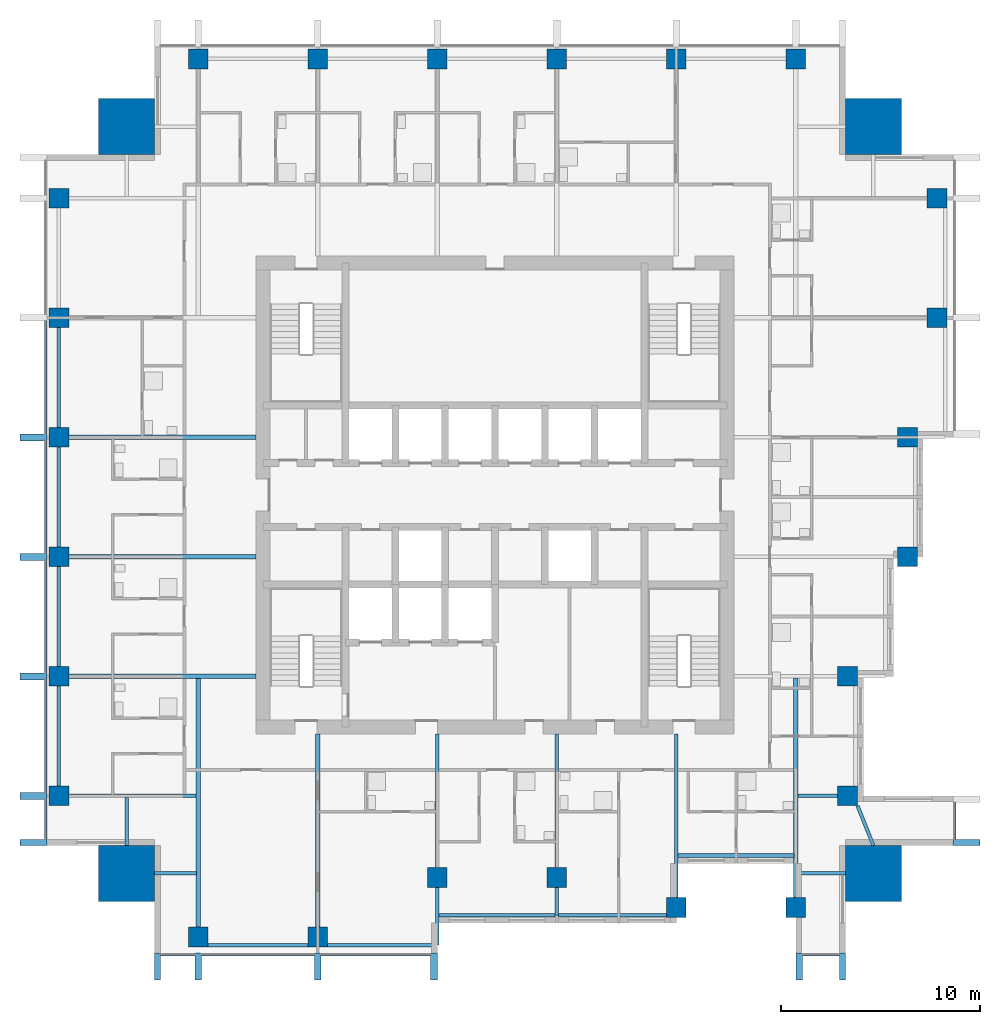
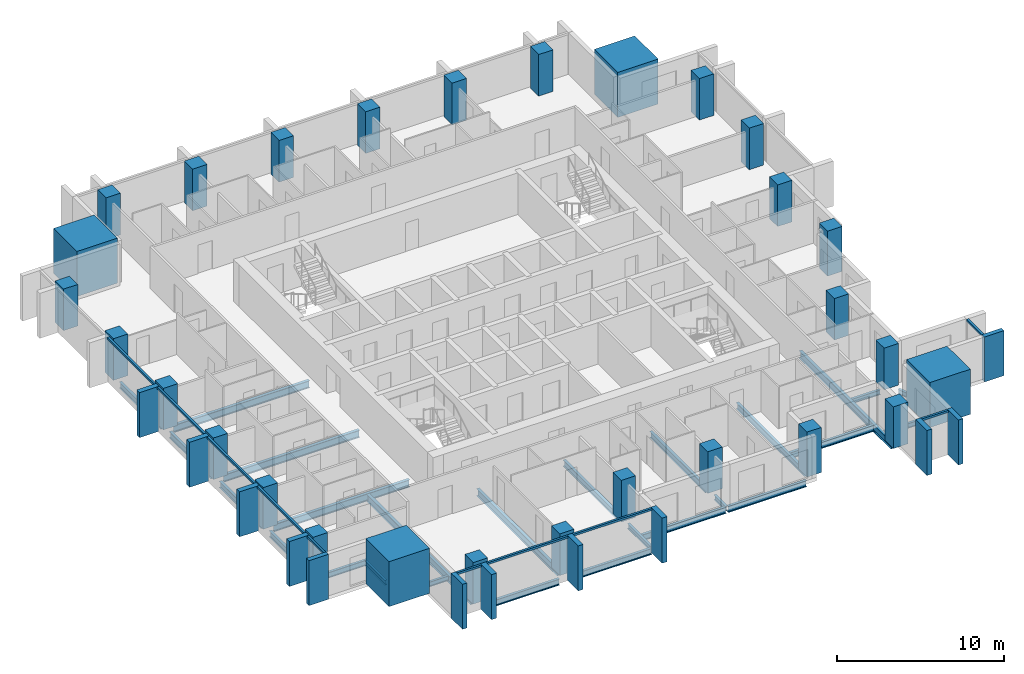
# One storey, part 1 of 11: 28 columns, 26 beams, 22 members, 4 elements without a shape of their own.
"""IFC4 building model written with IfcOpenShell, lengths in metres."""

import ifcopenshell
import ifcopenshell.guid

model = None  # the IFC model being written
_history = None  # IfcOwnerHistory: only IFC2X3 demands one
_inside = {}  # id of a spatial element -> (the spatial element, [elements in it])
_under = {}  # id of a project, library or spatial element -> (it, [spatial elements below it])
_declared = {}  # id of a project -> (the project, [libraries it declares])
_typed = {}  # id of a type object -> (the type object, [elements of that type])
_made_of = {}  # id of a material, layer set ... -> (it, [elements and type objects made of it])


def new_model(schema):
    """Start an empty IFC model of exactly this schema.

    Asked for "IFC4X3", IfcOpenShell would pick the latest addendum, in which some entities
    have other attributes; the version numbers below select the first issue.
    IFC2X3 requires an IfcOwnerHistory on every rooted entity: one is made here for all.
    """
    global model, _history
    if schema == "IFC4X3":
        model = ifcopenshell.file(schema_version=(4, 3, 0, 0))
    else:
        model = ifcopenshell.file(schema=schema)
    _inside.clear()
    _under.clear()
    _declared.clear()
    _typed.clear()
    _made_of.clear()
    _history = None
    if model.schema == "IFC2X3":
        org = make("IfcOrganization", Name="unknown")
        user = make(
            "IfcPersonAndOrganization",
            ThePerson=make("IfcPerson", FamilyName="unknown"),
            TheOrganization=org,
        )
        app = make(
            "IfcApplication",
            ApplicationDeveloper=org,
            Version="unknown",
            ApplicationFullName="unknown",
            ApplicationIdentifier="unknown",
        )
        _history = make(
            "IfcOwnerHistory",
            OwningUser=user,
            OwningApplication=app,
            ChangeAction="ADDED",
            CreationDate=0,
        )
    return model


def make(cls, **values):
    """One entity of the class cls with the attributes given. An attribute that is None is left unset."""
    return model.create_entity(
        cls, **{name: value for name, value in values.items() if value is not None}
    )


def rooted(cls, **values):
    """An entity with a GlobalId (a new one), such as an element, a storey or a relation."""
    return make(cls, GlobalId=ifcopenshell.guid.new(), OwnerHistory=_history, **values)


def si_unit(unit_type, name, prefix=None):
    """IfcSIUnit, for example si_unit("LENGTHUNIT", "METRE", prefix="MILLI")."""
    return make("IfcSIUnit", UnitType=unit_type, Prefix=prefix, Name=name)


def assignment(units):
    """IfcUnitAssignment: the units of a project."""
    return None if units is None else make("IfcUnitAssignment", Units=units)


def point(xyz):
    """IfcCartesianPoint."""
    return None if xyz is None else make("IfcCartesianPoint", Coordinates=xyz)


def direction(xyz):
    """IfcDirection."""
    return None if xyz is None else make("IfcDirection", DirectionRatios=xyz)


def frame(location, z_axis=None, x_axis=None):
    """IfcAxis2Placement3D, a coordinate frame: its origin and axes. An axis left out is left unset."""
    return make(
        "IfcAxis2Placement3D",
        Location=point(location),
        Axis=direction(z_axis),
        RefDirection=direction(x_axis),
    )


def frame_2d(location, x_axis=None):
    """IfcAxis2Placement2D, a coordinate frame in the plane: its origin and x axis."""
    return make(
        "IfcAxis2Placement2D", Location=point(location), RefDirection=direction(x_axis)
    )


def origin():
    """The frame at (0, 0, 0) with its axes left unset."""
    return frame((0.0, 0.0, 0.0))


def origin_2d():
    """The frame at (0, 0) in the plane with its x axis left unset."""
    return frame_2d((0.0, 0.0))


def place(relative_to, where):
    """IfcLocalPlacement: puts the frame where relative to a parent placement (None: the world)."""
    return make(
        "IfcLocalPlacement", PlacementRelTo=relative_to, RelativePlacement=where
    )


def context(
    kind, dimensions, precision=None, world=None, true_north=None, identifier=None
):
    """IfcGeometricRepresentationContext, for example the 3D "Model" context."""
    return make(
        "IfcGeometricRepresentationContext",
        ContextIdentifier=identifier,
        ContextType=kind,
        CoordinateSpaceDimension=dimensions,
        Precision=precision,
        WorldCoordinateSystem=world,
        TrueNorth=true_north,
    )


def subcontext(parent, identifier, kind, view, scale=None):
    """IfcGeometricRepresentationSubContext, for example "Body" below "Model"."""
    return make(
        "IfcGeometricRepresentationSubContext",
        ContextIdentifier=identifier,
        ContextType=kind,
        ParentContext=parent,
        TargetScale=scale,
        TargetView=view,
    )


def project(units=None, contexts=None):
    """IfcProject with its units and contexts."""
    return rooted(
        "IfcProject",
        Name="project",
        RepresentationContexts=contexts,
        UnitsInContext=assignment(units),
    )


def spatial(cls, under=None, at=None, **own):
    """A site, building, storey or space (cls), placed at a placement, below another one or the project."""
    s = rooted(cls, ObjectPlacement=at, **own)
    if under is not None:
        _under.setdefault(under.id(), (under, []))[1].append(s)
    return s


def profile(cls, at=None, kind="AREA", **sizes):
    """A parametric profile (cls). Its sizes go by their IFC names, for example OverallWidth=200.0."""
    return make(cls, ProfileType=kind, Position=at, **sizes)


def rectangle(**sizes):
    """IfcRectangleProfileDef."""
    return profile("IfcRectangleProfileDef", **sizes)


def i_section(**sizes):
    """IfcIShapeProfileDef."""
    return profile("IfcIShapeProfileDef", **sizes)


def extrude(swept, where, along, depth):
    """IfcExtrudedAreaSolid: the profile swept, set in the frame where, extruded along a direction by depth."""
    return make(
        "IfcExtrudedAreaSolid",
        SweptArea=swept,
        Position=where,
        ExtrudedDirection=direction(along),
        Depth=depth,
    )


def shape(context_of_items, identifier, shape_type, items):
    """IfcShapeRepresentation: the items that make up one representation, for example the "Body"."""
    return make(
        "IfcShapeRepresentation",
        ContextOfItems=context_of_items,
        RepresentationIdentifier=identifier,
        RepresentationType=shape_type,
        Items=items,
    )


def material(Name=None, Category=None):
    """IfcMaterial."""
    return make("IfcMaterial", Name=Name, Category=Category)


def material_profile(
    of_material, cross_section, Name=None, Category=None, Priority=None
):
    """IfcMaterialProfile: a cross section and its material."""
    return make(
        "IfcMaterialProfile",
        Name=Name,
        Material=of_material,
        Profile=cross_section,
        Priority=Priority,
        Category=Category,
    )


def profile_set(profiles, Name=None, composite=None):
    """IfcMaterialProfileSet."""
    return make(
        "IfcMaterialProfileSet",
        Name=Name,
        MaterialProfiles=profiles,
        CompositeProfile=composite,
    )


def made_of(thing, what):
    """Note that an element or type object is made of a material, layer set ...; save() writes the relation."""
    if what is not None:
        _made_of.setdefault(what.id(), (what, []))[1].append(thing)
    return thing


def type_object(cls, material=None, **own):
    """A type object (cls), such as IfcWallType, which elements share."""
    return made_of(rooted(cls, **own), material)


def element(
    cls,
    number,
    at=None,
    inside=None,
    cuts=None,
    type_object=None,
    material=None,
    context=None,
    identifier="Body",
    shape_type=None,
    held_by="IfcProductDefinitionShape",
    body=None,
    shapes=None,
    **own,
):
    """One element of the class cls, such as IfcWall. Its Tag is "e" and its number.

    at: its placement. inside: the storey or other place that contains it. cuts: it is an
    opening in that element (IfcRelVoidsElement). A single representation is given by context,
    identifier, shape_type and body (its items); several are given by shapes. held_by: the class
    of the entity that holds the representations. save() writes the other relations.
    """
    e = rooted(cls, Tag="e%d" % number, ObjectPlacement=at, **own)
    if body is not None:
        shapes = [shape(context, identifier, shape_type, body)]
    if shapes is not None:
        e.Representation = make(held_by, Representations=shapes)
    if inside is not None:
        _inside.setdefault(inside.id(), (inside, []))[1].append(e)
    if cuts is not None:
        rooted(
            "IfcRelVoidsElement", RelatingBuildingElement=cuts, RelatedOpeningElement=e
        )
    if type_object is not None:
        _typed.setdefault(type_object.id(), (type_object, []))[1].append(e)
    return made_of(e, material)


def aggregate(whole, parts):
    """IfcRelAggregates: a whole, such as a stair, and the parts it consists of."""
    return rooted("IfcRelAggregates", RelatingObject=whole, RelatedObjects=parts)


def save(model, path):
    """Write the relations noted so far, then the file.

    IfcRelAggregates (storeys below a building ...), IfcRelContainedInSpatialStructure (elements
    in a storey), IfcRelDefinesByType, IfcRelAssociatesMaterial and IfcRelDeclares: one each for
    every whole, place, type object, material and project.
    """
    for whole, parts in _under.values():
        aggregate(whole, parts)
    for where, things in _inside.values():
        rooted(
            "IfcRelContainedInSpatialStructure",
            RelatedElements=things,
            RelatingStructure=where,
        )
    for kind, things in _typed.values():
        rooted("IfcRelDefinesByType", RelatedObjects=things, RelatingType=kind)
    for what, things in _made_of.values():
        rooted("IfcRelAssociatesMaterial", RelatedObjects=things, RelatingMaterial=what)
    for by, libraries in _declared.values():
        rooted("IfcRelDeclares", RelatingContext=by, RelatedDefinitions=libraries)
    model.write(path)


model = new_model("IFC4")

# Units and contexts
model_context = context("Model", 3, precision=1e-05, world=origin(), true_north=direction((0.0, 1.0)))
body_context = subcontext(model_context, "Body", "Model", "MODEL_VIEW")
ifc_project = project(units=[si_unit("LENGTHUNIT", "METRE"), si_unit("AREAUNIT", "SQUARE_METRE"), si_unit("VOLUMEUNIT", "CUBIC_METRE"), si_unit("PLANEANGLEUNIT", "RADIAN"), si_unit("MASSUNIT", "GRAM", prefix="KILO")], contexts=[model_context])

# Site, building, storey
site_placement = place(None, origin())
site = spatial("IfcSite", under=ifc_project, at=site_placement, CompositionType="ELEMENT")
building_placement = place(site_placement, origin())
building = spatial("IfcBuilding", under=site, at=building_placement, Name="Amberfall Residences", CompositionType="ELEMENT")
storey_placement = place(building_placement, frame((0.0, 0.0, 161.5)))
storey = spatial("IfcBuildingStorey", under=building, at=storey_placement, Name="L43", CompositionType="ELEMENT", Elevation=161.5)

# Columns
ifc_material_1 = material(Name="Concrete C60", Category="concrete")
ifc_material_profile_1 = material_profile(ifc_material_1, rectangle(XDim=1.0, YDim=1.0, at=origin_2d()), Name="Column 1000 x 1000 C60")
ifc_profile_set_1 = profile_set([ifc_material_profile_1], Name="Concrete C60")
column_type_1 = type_object("IfcColumnType", Name="Column 1000 x 1000 C60", PredefinedType="COLUMN", material=ifc_profile_set_1)
for number, where, z_axis, x_axis, name in (
    (1, (59.60009765625, 23.300048828125, 0.0), (0.0, 0.0, 1.0), (1.0, 0.0, 0.0), "Column C3 L43 S1"),
    (2, (65.60009765625, 23.300048828125, 0.0), (0.0, 0.0, 1.0), (1.0, 0.0, 0.0), "Column C3 L43 S2"),
    (3, (71.60009765625, 26.300048828125, 0.0), (0.0, 0.0, 1.0), (1.0, 0.0, 0.0), "Column C3 L43 S3"),
    (4, (77.60009765625, 26.300048828125, 0.0), (0.0, 0.0, 1.0), (1.0, 0.0, 0.0), "Column C3 L43 S4"),
):
    element("IfcColumn", number, at=place(storey_placement, frame(where, z_axis=z_axis, x_axis=x_axis)), inside=storey, type_object=column_type_1, Name=name, PredefinedType="COLUMN", context=body_context, shape_type="SweptSolid", body=[
        extrude(rectangle(XDim=1.0, YDim=1.0, at=origin_2d()), origin(), (0.0, 0.0, 1.0), 3.050048828125),
    ])
column_1_placement = place(storey_placement, frame((83.60009765625, 24.800048828125, 0.0), z_axis=(0.0, 0.0, 1.0), x_axis=(1.0, 0.0, 0.0)))
element("IfcColumn", 5, at=column_1_placement, inside=storey, type_object=column_type_1, Name="Column C3 L43 S5", PredefinedType="COLUMN", context=body_context, shape_type="SweptSolid", body=[
    extrude(rectangle(XDim=1.0, YDim=1.0, at=origin_2d()), origin(), (0.0, 0.0, 1.0), 3.300048828125),
])
for number, where, z_axis, x_axis, name in (
    (6, (89.60009765625, 24.800048828125, 0.0), (0.0, 0.0, 1.0), (1.0, 0.0, 0.0), "Column C3 L43 S6"),
    (7, (92.199951171875, 30.39990234375, 0.0), (0.0, 0.0, 1.0), (1.0, 0.0, 0.0), "Column C3 L43 E1"),
    (8, (92.199951171875, 36.39990234375, 0.0), (0.0, 0.0, 1.0), (1.0, 0.0, 0.0), "Column C3 L43 E2"),
):
    element("IfcColumn", number, at=place(storey_placement, frame(where, z_axis=z_axis, x_axis=x_axis)), inside=storey, type_object=column_type_1, Name=name, PredefinedType="COLUMN", context=body_context, shape_type="SweptSolid", body=[
        extrude(rectangle(XDim=1.0, YDim=1.0, at=origin_2d()), origin(), (0.0, 0.0, 1.0), 3.050048828125),
    ])
column_2_placement = place(storey_placement, frame((95.199951171875, 42.39990234375, 0.0), z_axis=(0.0, 0.0, 1.0), x_axis=(1.0, 0.0, 0.0)))
element("IfcColumn", 9, at=column_2_placement, inside=storey, type_object=column_type_1, Name="Column C3 L43 E3", PredefinedType="COLUMN", context=body_context, shape_type="SweptSolid", body=[
    extrude(rectangle(XDim=1.0, YDim=1.0, at=origin_2d()), origin(), (0.0, 0.0, 1.0), 3.300048828125),
])
for number, where, z_axis, x_axis, name in (
    (10, (95.199951171875, 48.39990234375, 0.0), (0.0, 0.0, 1.0), (1.0, 0.0, 0.0), "Column C3 L43 E4"),
    (11, (96.699951171875, 54.39990234375, 0.0), (0.0, 0.0, 1.0), (1.0, 0.0, 0.0), "Column C3 L43 E5"),
    (12, (96.699951171875, 60.39990234375, 0.0), (0.0, 0.0, 1.0), (1.0, 0.0, 0.0), "Column C3 L43 E6"),
    (13, (59.60009765625, 67.39990234375, 0.0), (0.0, 0.0, 1.0), (1.0, 0.0, 0.0), "Column C3 L43 N1"),
    (14, (65.60009765625, 67.39990234375, 0.0), (0.0, 0.0, 1.0), (1.0, 0.0, 0.0), "Column C3 L43 N2"),
    (15, (71.60009765625, 67.39990234375, 0.0), (0.0, 0.0, 1.0), (1.0, 0.0, 0.0), "Column C3 L43 N3"),
    (16, (77.60009765625, 67.39990234375, 0.0), (0.0, 0.0, 1.0), (1.0, 0.0, 0.0), "Column C3 L43 N4"),
    (17, (83.60009765625, 67.39990234375, 0.0), (0.0, 0.0, 1.0), (1.0, 0.0, 0.0), "Column C3 L43 N5"),
    (18, (89.60009765625, 67.39990234375, 0.0), (0.0, 0.0, 1.0), (1.0, 0.0, 0.0), "Column C3 L43 N6"),
    (19, (52.60009765625, 30.39990234375, 0.0), (0.0, 0.0, 1.0), (1.0, 0.0, 0.0), "Column C3 L43 W1"),
    (20, (52.60009765625, 36.39990234375, 0.0), (0.0, 0.0, 1.0), (1.0, 0.0, 0.0), "Column C3 L43 W2"),
    (21, (52.60009765625, 42.39990234375, 0.0), (0.0, 0.0, 1.0), (1.0, 0.0, 0.0), "Column C3 L43 W3"),
    (22, (52.60009765625, 48.39990234375, 0.0), (0.0, 0.0, 1.0), (1.0, 0.0, 0.0), "Column C3 L43 W4"),
    (23, (52.60009765625, 54.39990234375, 0.0), (0.0, 0.0, 1.0), (1.0, 0.0, 0.0), "Column C3 L43 W5"),
    (24, (52.60009765625, 60.39990234375, 0.0), (0.0, 0.0, 1.0), (1.0, 0.0, 0.0), "Column C3 L43 W6"),
):
    element("IfcColumn", number, at=place(storey_placement, frame(where, z_axis=z_axis, x_axis=x_axis)), inside=storey, type_object=column_type_1, Name=name, PredefinedType="COLUMN", context=body_context, shape_type="SweptSolid", body=[
        extrude(rectangle(XDim=1.0, YDim=1.0, at=origin_2d()), origin(), (0.0, 0.0, 1.0), 3.050048828125),
    ])
ifc_material_profile_2 = material_profile(ifc_material_1, rectangle(XDim=2.800048828125, YDim=2.800048828125, at=origin_2d()), Name="Mega column 2800 x 2800 C60")
ifc_profile_set_2 = profile_set([ifc_material_profile_2], Name="Concrete C60")
column_type_2 = type_object("IfcColumnType", Name="Mega column 2800 x 2800 C60", PredefinedType="COLUMN", material=ifc_profile_set_2)
for number, where, z_axis, x_axis, name in (
    (25, (56.0, 26.5, 0.0), (0.0, 0.0, 1.0), (1.0, 0.0, 0.0), "Mega column MC5 L43 SW"),
    (26, (93.5, 26.5, 0.0), (0.0, 0.0, 1.0), (1.0, 0.0, 0.0), "Mega column MC5 L43 SE"),
    (27, (93.5, 64.0, 0.0), (0.0, 0.0, 1.0), (1.0, 0.0, 0.0), "Mega column MC5 L43 NE"),
    (28, (56.0, 64.0, 0.0), (0.0, 0.0, 1.0), (1.0, 0.0, 0.0), "Mega column MC5 L43 NW"),
):
    element("IfcColumn", number, at=place(storey_placement, frame(where, z_axis=z_axis, x_axis=x_axis)), inside=storey, type_object=column_type_2, Name=name, PredefinedType="COLUMN", context=body_context, shape_type="SweptSolid", body=[
        extrude(rectangle(XDim=2.800048828125, YDim=2.800048828125, at=origin_2d()), origin(), (0.0, 0.0, 1.0), 3.300048828125),
    ])

# Curtain wall, members
ifc_material_2 = material(Name="Bronze anodised aluminium and glass", Category="aluminium")
curtain_wall_type = type_object("IfcCurtainWallType", Name="Curtain wall CW1 tower unit", PredefinedType="USERDEFINED", material=ifc_material_2)
curtain_wall_1_placement = place(storey_placement, origin())
curtain_wall_1 = element("IfcCurtainWall", 29, at=curtain_wall_1_placement, inside=storey, type_object=curtain_wall_type, Name="Curtain wall L43 S S1", ObjectType="UNITISED CURTAIN WALL", PredefinedType="USERDEFINED")
ifc_material_3 = material(Name="Bronze anodised aluminium", Category="aluminium")
ifc_material_profile_3 = material_profile(ifc_material_3, rectangle(XDim=0.14990234375, YDim=0.14990234375, at=origin_2d()), Name="CW1 transom 150 x 150 bronze")
ifc_profile_set_3 = profile_set([ifc_material_profile_3], Name="Bronze anodised aluminium")
member_type_1 = type_object("IfcMemberType", Name="CW1 transom 150 x 150 bronze", PredefinedType="USERDEFINED", material=ifc_profile_set_3)
member_1_placement = place(storey_placement, frame((57.699951171875, 22.425048828125, 2.97509765625), z_axis=(1.0, 0.0, 0.0), x_axis=(0.0, 1.0, 0.0)))
member_1 = element("IfcMember", 30, at=member_1_placement, type_object=member_type_1, Name="CW1 transom 1.1", ObjectType="TRANSOM", PredefinedType="USERDEFINED", context=body_context, shape_type="SweptSolid", body=[
    extrude(rectangle(XDim=0.14990234375, YDim=0.14990234375, at=origin_2d()), origin(), (0.0, 0.0, 1.0), 1.72509765625),
])
member_2_placement = place(storey_placement, frame((59.77490234375, 22.425048828125, 2.97509765625), z_axis=(1.0, 0.0, 0.0), x_axis=(0.0, 1.0, 0.0)))
member_2 = element("IfcMember", 31, at=member_2_placement, type_object=member_type_1, Name="CW1 transom 2.1", ObjectType="TRANSOM", PredefinedType="USERDEFINED", context=body_context, shape_type="SweptSolid", body=[
    extrude(rectangle(XDim=0.14990234375, YDim=0.14990234375, at=origin_2d()), origin(), (0.0, 0.0, 1.0), 5.650146484375),
])
member_3_placement = place(storey_placement, frame((65.77490234375, 22.425048828125, 2.97509765625), z_axis=(1.0, 0.0, 0.0), x_axis=(0.0, 1.0, 0.0)))
member_3 = element("IfcMember", 32, at=member_3_placement, type_object=member_type_1, Name="CW1 transom 3.1", ObjectType="TRANSOM", PredefinedType="USERDEFINED", context=body_context, shape_type="SweptSolid", body=[
    extrude(rectangle(XDim=0.14990234375, YDim=0.14990234375, at=origin_2d()), origin(), (0.0, 0.0, 1.0), 5.47509765625),
])

# Curtain wall, member
curtain_wall_2_placement = place(storey_placement, origin())
curtain_wall_2 = element("IfcCurtainWall", 33, at=curtain_wall_2_placement, inside=storey, type_object=curtain_wall_type, Name="Curtain wall L43 S S8", ObjectType="UNITISED CURTAIN WALL", PredefinedType="USERDEFINED")
member_4_placement = place(storey_placement, frame((89.949951171875, 22.425048828125, 2.97509765625), z_axis=(1.0, 0.0, 0.0), x_axis=(0.0, 1.0, 0.0)))
member_4 = element("IfcMember", 34, at=member_4_placement, type_object=member_type_1, Name="CW1 transom 1.1", ObjectType="TRANSOM", PredefinedType="USERDEFINED", context=body_context, shape_type="SweptSolid", body=[
    extrude(rectangle(XDim=0.14990234375, YDim=0.14990234375, at=origin_2d()), origin(), (0.0, 0.0, 1.0), 1.85009765625),
])

curtain_wall_3_placement = place(storey_placement, origin())
curtain_wall_3 = element("IfcCurtainWall", 35, at=curtain_wall_3_placement, inside=storey, type_object=curtain_wall_type, Name="Curtain wall L43 E E1", ObjectType="UNITISED CURTAIN WALL", PredefinedType="USERDEFINED")
member_5_placement = place(storey_placement, frame((97.574951171875, 28.199951171875, 2.97509765625), z_axis=(0.0, 1.0, 0.0), x_axis=(-1.0, 0.0, 0.0)))
member_5 = element("IfcMember", 36, at=member_5_placement, type_object=member_type_1, Name="CW1 transom 1.1", ObjectType="TRANSOM", PredefinedType="USERDEFINED", context=body_context, shape_type="SweptSolid", body=[
    extrude(rectangle(XDim=0.14990234375, YDim=0.14990234375, at=origin_2d()), origin(), (0.0, 0.0, 1.0), 1.85009765625),
])

# Curtain wall, members
curtain_wall_4_placement = place(storey_placement, origin())
curtain_wall_4 = element("IfcCurtainWall", 37, at=curtain_wall_4_placement, inside=storey, type_object=curtain_wall_type, Name="Curtain wall L43 W W1", ObjectType="UNITISED CURTAIN WALL", PredefinedType="USERDEFINED")
member_6_placement = place(storey_placement, frame((51.925048828125, 54.22509765625, 2.97509765625), z_axis=(0.0, -1.0, 0.0), x_axis=(1.0, 0.0, 0.0)))
member_6 = element("IfcMember", 38, at=member_6_placement, type_object=member_type_1, Name="CW1 transom 3.1", ObjectType="TRANSOM", PredefinedType="USERDEFINED", context=body_context, shape_type="SweptSolid", body=[
    extrude(rectangle(XDim=0.14990234375, YDim=0.14990234375, at=origin_2d()), origin(), (0.0, 0.0, 1.0), 5.650146484375),
])
member_7_placement = place(storey_placement, frame((51.925048828125, 48.22509765625, 2.97509765625), z_axis=(0.0, -1.0, 0.0), x_axis=(1.0, 0.0, 0.0)))
member_7 = element("IfcMember", 39, at=member_7_placement, type_object=member_type_1, Name="CW1 transom 4.1", ObjectType="TRANSOM", PredefinedType="USERDEFINED", context=body_context, shape_type="SweptSolid", body=[
    extrude(rectangle(XDim=0.14990234375, YDim=0.14990234375, at=origin_2d()), origin(), (0.0, 0.0, 1.0), 5.650146484375),
])
member_8_placement = place(storey_placement, frame((51.925048828125, 42.22509765625, 2.97509765625), z_axis=(0.0, -1.0, 0.0), x_axis=(1.0, 0.0, 0.0)))
member_8 = element("IfcMember", 40, at=member_8_placement, type_object=member_type_1, Name="CW1 transom 5.1", ObjectType="TRANSOM", PredefinedType="USERDEFINED", context=body_context, shape_type="SweptSolid", body=[
    extrude(rectangle(XDim=0.14990234375, YDim=0.14990234375, at=origin_2d()), origin(), (0.0, 0.0, 1.0), 5.650146484375),
])
member_9_placement = place(storey_placement, frame((51.925048828125, 36.22509765625, 2.97509765625), z_axis=(0.0, -1.0, 0.0), x_axis=(1.0, 0.0, 0.0)))
member_9 = element("IfcMember", 41, at=member_9_placement, type_object=member_type_1, Name="CW1 transom 6.1", ObjectType="TRANSOM", PredefinedType="USERDEFINED", context=body_context, shape_type="SweptSolid", body=[
    extrude(rectangle(XDim=0.14990234375, YDim=0.14990234375, at=origin_2d()), origin(), (0.0, 0.0, 1.0), 5.650146484375),
])
member_10_placement = place(storey_placement, frame((51.925048828125, 30.22509765625, 2.97509765625), z_axis=(0.0, -1.0, 0.0), x_axis=(1.0, 0.0, 0.0)))
member_10 = element("IfcMember", 42, at=member_10_placement, type_object=member_type_1, Name="CW1 transom 7.1", ObjectType="TRANSOM", PredefinedType="USERDEFINED", context=body_context, shape_type="SweptSolid", body=[
    extrude(rectangle(XDim=0.14990234375, YDim=0.14990234375, at=origin_2d()), origin(), (0.0, 0.0, 1.0), 2.025146484375),
])

# Beams
ifc_material_4 = material(Name="Steel S355", Category="steel")
ifc_material_profile_4 = material_profile(ifc_material_4, i_section(OverallWidth=0.171142578125, OverallDepth=0.351318359375, WebThickness=0.007080078125, FlangeThickness=0.009765625, FilletRadius=0.01025390625, at=origin_2d()), Name="UB 356x171x45")
ifc_profile_set_4 = profile_set([ifc_material_profile_4], Name="Steel S355")
beam_type_1 = type_object("IfcBeamType", Name="Cantilever girder UB 356x171x45", PredefinedType="BEAM", material=ifc_profile_set_4)
beam_1_placement = place(storey_placement, frame((71.60009765625, 25.800048828125, -0.42578125), z_axis=(0.0, -1.0, 0.0), x_axis=(1.0, 0.0, 0.0)))
element("IfcBeam", 43, at=beam_1_placement, inside=storey, type_object=beam_type_1, Name="Cantilever girder B8 L43 06", PredefinedType="BEAM", context=body_context, shape_type="SweptSolid", body=[
    extrude(i_section(OverallWidth=0.171142578125, OverallDepth=0.351318359375, WebThickness=0.007080078125, FlangeThickness=0.009765625, FilletRadius=0.01025390625, at=origin_2d()), origin(), (0.0, 0.0, 1.0), 2.900146484375),
])
beam_2_placement = place(storey_placement, frame((77.60009765625, 25.800048828125, -0.42578125), z_axis=(0.0, -1.0, 0.0), x_axis=(1.0, 0.0, 0.0)))
element("IfcBeam", 44, at=beam_2_placement, inside=storey, type_object=beam_type_1, Name="Cantilever girder B8 L43 07", PredefinedType="BEAM", context=body_context, shape_type="SweptSolid", body=[
    extrude(i_section(OverallWidth=0.171142578125, OverallDepth=0.351318359375, WebThickness=0.007080078125, FlangeThickness=0.009765625, FilletRadius=0.01025390625, at=origin_2d()), origin(), (0.0, 0.0, 1.0), 1.400146484375),
])

# Member
ifc_material_profile_5 = material_profile(ifc_material_3, rectangle(XDim=1.35009765625, YDim=0.300048828125, at=origin_2d()), Name="Corner fin 300 x 1350 bronze")
ifc_profile_set_5 = profile_set([ifc_material_profile_5], Name="Bronze anodised aluminium")
member_type_2 = type_object("IfcMemberType", Name="Corner fin 300 x 1350 bronze", PredefinedType="MULLION", material=ifc_profile_set_5)
member_11_placement = place(storey_placement, frame((57.550048828125, 21.824951171875, -0.25), z_axis=(0.0, 0.0, 1.0), x_axis=(0.0, 1.0, 0.0)))
member_11 = element("IfcMember", 45, at=member_11_placement, type_object=member_type_2, Name="CW FIN 1", PredefinedType="MULLION", context=body_context, shape_type="SweptSolid", body=[
    extrude(rectangle(XDim=1.35009765625, YDim=0.300048828125, at=origin_2d()), origin(), (0.0, 0.0, 1.0), 3.300048828125),
])

member_12_placement = place(storey_placement, frame((91.949951171875, 21.824951171875, -0.25), z_axis=(0.0, 0.0, 1.0), x_axis=(0.0, 1.0, 0.0)))
member_12 = element("IfcMember", 46, at=member_12_placement, type_object=member_type_2, Name="CW FIN 2", PredefinedType="MULLION", context=body_context, shape_type="SweptSolid", body=[
    extrude(rectangle(XDim=1.35009765625, YDim=0.300048828125, at=origin_2d()), origin(), (0.0, 0.0, 1.0), 3.300048828125),
])

member_13_placement = place(storey_placement, frame((98.175048828125, 28.050048828125, -0.25), z_axis=(0.0, 0.0, 1.0), x_axis=(-1.0, 0.0, 0.0)))
member_13 = element("IfcMember", 47, at=member_13_placement, type_object=member_type_2, Name="CW FIN 1", PredefinedType="MULLION", context=body_context, shape_type="SweptSolid", body=[
    extrude(rectangle(XDim=1.35009765625, YDim=0.300048828125, at=origin_2d()), origin(), (0.0, 0.0, 1.0), 3.300048828125),
])

aggregate(curtain_wall_3, [member_13, member_5])

member_14_placement = place(storey_placement, frame((51.324951171875, 28.050048828125, -0.25), z_axis=(0.0, 0.0, 1.0), x_axis=(1.0, 0.0, 0.0)))
member_14 = element("IfcMember", 48, at=member_14_placement, type_object=member_type_2, Name="CW FIN 8", PredefinedType="MULLION", context=body_context, shape_type="SweptSolid", body=[
    extrude(rectangle(XDim=1.35009765625, YDim=0.300048828125, at=origin_2d()), origin(), (0.0, 0.0, 1.0), 3.300048828125),
])

# Beams
ifc_material_profile_6 = material_profile(ifc_material_4, i_section(OverallWidth=0.18994140625, OverallDepth=0.453369140625, WebThickness=0.008544921875, FlangeThickness=0.0126953125, FilletRadius=0.01025390625, at=origin_2d()), Name="UB 457x191x67")
ifc_profile_set_6 = profile_set([ifc_material_profile_6], Name="Steel S355")
beam_type_2 = type_object("IfcBeamType", Name="Edge beam UB 457x191x67", PredefinedType="SPANDREL", material=ifc_profile_set_6)
beam_3_placement = place(storey_placement, frame((60.10009765625, 22.89990234375, -0.476806640625), z_axis=(1.0, 0.0, 0.0), x_axis=(0.0, 1.0, 0.0)))
element("IfcBeam", 49, at=beam_3_placement, inside=storey, type_object=beam_type_2, Name="Edge beam B1 L43 01", PredefinedType="SPANDREL", context=body_context, shape_type="SweptSolid", body=[
    extrude(i_section(OverallWidth=0.18994140625, OverallDepth=0.453369140625, WebThickness=0.008544921875, FlangeThickness=0.0126953125, FilletRadius=0.01025390625, at=origin_2d()), origin(), (0.0, 0.0, 1.0), 5.0),
])
beam_4_placement = place(storey_placement, frame((66.10009765625, 22.89990234375, -0.476806640625), z_axis=(1.0, 0.0, 0.0), x_axis=(0.0, 1.0, 0.0)))
element("IfcBeam", 50, at=beam_4_placement, inside=storey, type_object=beam_type_2, Name="Edge beam B1 L43 02", PredefinedType="SPANDREL", context=body_context, shape_type="SweptSolid", body=[
    extrude(i_section(OverallWidth=0.18994140625, OverallDepth=0.453369140625, WebThickness=0.008544921875, FlangeThickness=0.0126953125, FilletRadius=0.01025390625, at=origin_2d()), origin(), (0.0, 0.0, 1.0), 5.419921875),
])
beam_5_placement = place(storey_placement, frame((71.679931640625, 24.39990234375, -0.476806640625), z_axis=(1.0, 0.0, 0.0), x_axis=(0.0, 1.0, 0.0)))
element("IfcBeam", 51, at=beam_5_placement, inside=storey, type_object=beam_type_2, Name="Edge beam B1 L43 03", PredefinedType="SPANDREL", context=body_context, shape_type="SweptSolid", body=[
    extrude(i_section(OverallWidth=0.18994140625, OverallDepth=0.453369140625, WebThickness=0.008544921875, FlangeThickness=0.0126953125, FilletRadius=0.01025390625, at=origin_2d()), origin(), (0.0, 0.0, 1.0), 5.840087890625),
])
beam_6_placement = place(storey_placement, frame((77.679931640625, 24.39990234375, -0.476806640625), z_axis=(1.0, 0.0, 0.0), x_axis=(0.0, 1.0, 0.0)))
element("IfcBeam", 52, at=beam_6_placement, inside=storey, type_object=beam_type_2, Name="Edge beam B1 L43 04", PredefinedType="SPANDREL", context=body_context, shape_type="SweptSolid", body=[
    extrude(i_section(OverallWidth=0.18994140625, OverallDepth=0.453369140625, WebThickness=0.008544921875, FlangeThickness=0.0126953125, FilletRadius=0.01025390625, at=origin_2d()), origin(), (0.0, 0.0, 1.0), 5.420166015625),
])
beam_7_placement = place(storey_placement, frame((83.679931640625, 27.39990234375, -0.476806640625), z_axis=(1.0, 0.0, 0.0), x_axis=(0.0, 1.0, 0.0)))
element("IfcBeam", 53, at=beam_7_placement, inside=storey, type_object=beam_type_2, Name="Edge beam B1 L43 05", PredefinedType="SPANDREL", context=body_context, shape_type="SweptSolid", body=[
    extrude(i_section(OverallWidth=0.18994140625, OverallDepth=0.453369140625, WebThickness=0.008544921875, FlangeThickness=0.0126953125, FilletRadius=0.01025390625, at=origin_2d()), origin(), (0.0, 0.0, 1.0), 5.840087890625),
])
for number, where, z_axis, x_axis, name in (
    (54, (52.60009765625, 30.89990234375, -0.476806640625), (0.0, 1.0, 0.0), (-1.0, 0.0, 0.0), "Edge beam B1 L43 38"),
    (55, (52.60009765625, 36.89990234375, -0.476806640625), (0.0, 1.0, 0.0), (-1.0, 0.0, 0.0), "Edge beam B1 L43 39"),
    (56, (52.60009765625, 42.89990234375, -0.476806640625), (0.0, 1.0, 0.0), (-1.0, 0.0, 0.0), "Edge beam B1 L43 40"),
    (57, (52.60009765625, 48.89990234375, -0.476806640625), (0.0, 1.0, 0.0), (-1.0, 0.0, 0.0), "Edge beam B1 L43 41"),
):
    element("IfcBeam", number, at=place(storey_placement, frame(where, z_axis=z_axis, x_axis=x_axis)), inside=storey, type_object=beam_type_2, Name=name, PredefinedType="SPANDREL", context=body_context, shape_type="SweptSolid", body=[
        extrude(i_section(OverallWidth=0.18994140625, OverallDepth=0.453369140625, WebThickness=0.008544921875, FlangeThickness=0.0126953125, FilletRadius=0.01025390625, at=origin_2d()), origin(), (0.0, 0.0, 1.0), 5.0),
    ])

# Member
ifc_material_profile_7 = material_profile(ifc_material_3, rectangle(XDim=1.35009765625, YDim=0.35009765625, at=origin_2d()), Name="Fin 350 x 1350 bronze")
ifc_profile_set_7 = profile_set([ifc_material_profile_7], Name="Bronze anodised aluminium")
member_type_3 = type_object("IfcMemberType", Name="Fin 350 x 1350 bronze", PredefinedType="MULLION", material=ifc_profile_set_7)
member_15_placement = place(storey_placement, frame((59.60009765625, 21.824951171875, -0.25), z_axis=(0.0, 0.0, 1.0), x_axis=(0.0, 1.0, 0.0)))
member_15 = element("IfcMember", 58, at=member_15_placement, type_object=member_type_3, Name="CW FIN 2", PredefinedType="MULLION", context=body_context, shape_type="SweptSolid", body=[
    extrude(rectangle(XDim=1.35009765625, YDim=0.35009765625, at=origin_2d()), origin(), (0.0, 0.0, 1.0), 3.300048828125),
])

member_16_placement = place(storey_placement, frame((65.60009765625, 21.824951171875, -0.25), z_axis=(0.0, 0.0, 1.0), x_axis=(0.0, 1.0, 0.0)))
member_16 = element("IfcMember", 59, at=member_16_placement, type_object=member_type_3, Name="CW FIN 3", PredefinedType="MULLION", context=body_context, shape_type="SweptSolid", body=[
    extrude(rectangle(XDim=1.35009765625, YDim=0.35009765625, at=origin_2d()), origin(), (0.0, 0.0, 1.0), 3.300048828125),
])

member_17_placement = place(storey_placement, frame((71.425048828125, 21.824951171875, -0.25), z_axis=(0.0, 0.0, 1.0), x_axis=(0.0, 1.0, 0.0)))
member_17 = element("IfcMember", 60, at=member_17_placement, type_object=member_type_3, Name="CW FIN 4", PredefinedType="MULLION", context=body_context, shape_type="SweptSolid", body=[
    extrude(rectangle(XDim=1.35009765625, YDim=0.35009765625, at=origin_2d()), origin(), (0.0, 0.0, 1.0), 3.300048828125),
])

aggregate(curtain_wall_1, [member_11, member_15, member_16, member_17, member_1, member_2, member_3])

member_18_placement = place(storey_placement, frame((89.77490234375, 21.824951171875, -0.25), z_axis=(0.0, 0.0, 1.0), x_axis=(0.0, 1.0, 0.0)))
member_18 = element("IfcMember", 61, at=member_18_placement, type_object=member_type_3, Name="CW FIN 1", PredefinedType="MULLION", context=body_context, shape_type="SweptSolid", body=[
    extrude(rectangle(XDim=1.35009765625, YDim=0.35009765625, at=origin_2d()), origin(), (0.0, 0.0, 1.0), 3.300048828125),
])

aggregate(curtain_wall_2, [member_18, member_12, member_4])

member_19_placement = place(storey_placement, frame((51.324951171875, 48.39990234375, -0.25), z_axis=(0.0, 0.0, 1.0), x_axis=(1.0, 0.0, 0.0)))
member_19 = element("IfcMember", 62, at=member_19_placement, type_object=member_type_3, Name="CW FIN 4", PredefinedType="MULLION", context=body_context, shape_type="SweptSolid", body=[
    extrude(rectangle(XDim=1.35009765625, YDim=0.35009765625, at=origin_2d()), origin(), (0.0, 0.0, 1.0), 3.300048828125),
])

member_20_placement = place(storey_placement, frame((51.324951171875, 42.39990234375, -0.25), z_axis=(0.0, 0.0, 1.0), x_axis=(1.0, 0.0, 0.0)))
member_20 = element("IfcMember", 63, at=member_20_placement, type_object=member_type_3, Name="CW FIN 5", PredefinedType="MULLION", context=body_context, shape_type="SweptSolid", body=[
    extrude(rectangle(XDim=1.35009765625, YDim=0.35009765625, at=origin_2d()), origin(), (0.0, 0.0, 1.0), 3.300048828125),
])

member_21_placement = place(storey_placement, frame((51.324951171875, 36.39990234375, -0.25), z_axis=(0.0, 0.0, 1.0), x_axis=(1.0, 0.0, 0.0)))
member_21 = element("IfcMember", 64, at=member_21_placement, type_object=member_type_3, Name="CW FIN 6", PredefinedType="MULLION", context=body_context, shape_type="SweptSolid", body=[
    extrude(rectangle(XDim=1.35009765625, YDim=0.35009765625, at=origin_2d()), origin(), (0.0, 0.0, 1.0), 3.300048828125),
])

member_22_placement = place(storey_placement, frame((51.324951171875, 30.39990234375, -0.25), z_axis=(0.0, 0.0, 1.0), x_axis=(1.0, 0.0, 0.0)))
member_22 = element("IfcMember", 65, at=member_22_placement, type_object=member_type_3, Name="CW FIN 7", PredefinedType="MULLION", context=body_context, shape_type="SweptSolid", body=[
    extrude(rectangle(XDim=1.35009765625, YDim=0.35009765625, at=origin_2d()), origin(), (0.0, 0.0, 1.0), 3.300048828125),
])

aggregate(curtain_wall_4, [member_19, member_20, member_21, member_22, member_14, member_6, member_7, member_8, member_9, member_10])

# Beams
ifc_material_profile_8 = material_profile(ifc_material_4, i_section(OverallWidth=0.171142578125, OverallDepth=0.351318359375, WebThickness=0.007080078125, FlangeThickness=0.009765625, FilletRadius=0.01025390625, at=origin_2d()), Name="UB 356x171x45")
ifc_profile_set_8 = profile_set([ifc_material_profile_8], Name="Steel S355")
beam_type_3 = type_object("IfcBeamType", Name="Floor girder UB 356x171x45", PredefinedType="BEAM", material=ifc_profile_set_8)
beam_8_placement = place(storey_placement, frame((91.699951171875, 30.39990234375, -0.42578125), z_axis=(-1.0, 0.0, 0.0), x_axis=(0.0, -1.0, 0.0)))
element("IfcBeam", 66, at=beam_8_placement, inside=storey, type_object=beam_type_3, Name="Floor girder B11 L43 21", PredefinedType="BEAM", context=body_context, shape_type="SweptSolid", body=[
    extrude(i_section(OverallWidth=0.171142578125, OverallDepth=0.351318359375, WebThickness=0.007080078125, FlangeThickness=0.009765625, FilletRadius=0.01025390625, at=origin_2d()), origin(), (0.0, 0.0, 1.0), 1.97998046875),
])
ifc_material_profile_9 = material_profile(ifc_material_4, i_section(OverallWidth=0.177734375, OverallDepth=0.402587890625, WebThickness=0.0078125, FlangeThickness=0.010986328125, FilletRadius=0.01025390625, at=origin_2d()), Name="UB 406x178x54")
ifc_profile_set_9 = profile_set([ifc_material_profile_9], Name="Steel S355")
beam_type_4 = type_object("IfcBeamType", Name="Floor girder UB 406x178x54", PredefinedType="BEAM", material=ifc_profile_set_9)
beam_9_placement = place(storey_placement, frame((53.10009765625, 30.39990234375, -0.451416015625), z_axis=(1.0, 0.0, 0.0), x_axis=(0.0, 1.0, 0.0)))
element("IfcBeam", 67, at=beam_9_placement, inside=storey, type_object=beam_type_4, Name="Floor girder B4 L43 43", PredefinedType="BEAM", context=body_context, shape_type="SweptSolid", body=[
    extrude(i_section(OverallWidth=0.177734375, OverallDepth=0.402587890625, WebThickness=0.0078125, FlangeThickness=0.010986328125, FilletRadius=0.01025390625, at=origin_2d()), origin(), (0.0, 0.0, 1.0), 6.3798828125),
])
ifc_material_profile_10 = material_profile(ifc_material_4, i_section(OverallWidth=0.19140625, OverallDepth=0.4599609375, WebThickness=0.010009765625, FlangeThickness=0.01611328125, FilletRadius=0.01025390625, at=origin_2d()), Name="UB 457x191x82")
ifc_profile_set_10 = profile_set([ifc_material_profile_10], Name="Steel S355")
beam_type_5 = type_object("IfcBeamType", Name="Floor girder UB 457x191x82", PredefinedType="BEAM", material=ifc_profile_set_10)
for number, where, z_axis, x_axis, name in (
    (68, (71.60009765625, 26.800048828125, -0.47998046875), (0.0, 1.0, 0.0), (-1.0, 0.0, 0.0), "Floor girder B10 L43 10"),
    (69, (77.60009765625, 26.800048828125, -0.47998046875), (0.0, 1.0, 0.0), (-1.0, 0.0, 0.0), "Floor girder B10 L43 11"),
):
    element("IfcBeam", number, at=place(storey_placement, frame(where, z_axis=z_axis, x_axis=x_axis)), inside=storey, type_object=beam_type_5, Name=name, PredefinedType="BEAM", context=body_context, shape_type="SweptSolid", body=[
        extrude(i_section(OverallWidth=0.19140625, OverallDepth=0.4599609375, WebThickness=0.010009765625, FlangeThickness=0.01611328125, FilletRadius=0.01025390625, at=origin_2d()), origin(), (0.0, 0.0, 1.0), 6.699951171875),
    ])
beam_10_placement = place(storey_placement, frame((83.60009765625, 25.300048828125, -0.47998046875), z_axis=(0.0, 1.0, 0.0), x_axis=(-1.0, 0.0, 0.0)))
element("IfcBeam", 70, at=beam_10_placement, inside=storey, type_object=beam_type_5, Name="Floor girder B10 L43 12", PredefinedType="BEAM", context=body_context, shape_type="SweptSolid", body=[
    extrude(i_section(OverallWidth=0.19140625, OverallDepth=0.4599609375, WebThickness=0.010009765625, FlangeThickness=0.01611328125, FilletRadius=0.01025390625, at=origin_2d()), origin(), (0.0, 0.0, 1.0), 8.199951171875),
])
ifc_material_profile_11 = material_profile(ifc_material_4, i_section(OverallWidth=0.210693359375, OverallDepth=0.53955078125, WebThickness=0.01171875, FlangeThickness=0.018798828125, FilletRadius=0.0126953125, at=origin_2d()), Name="UB 533x210x109")
ifc_profile_set_11 = profile_set([ifc_material_profile_11], Name="Steel S355")
beam_type_6 = type_object("IfcBeamType", Name="Floor girder UB 533x210x109", PredefinedType="BEAM", material=ifc_profile_set_11)
beam_11_placement = place(storey_placement, frame((59.60009765625, 23.800048828125, -0.519775390625), z_axis=(0.0, 1.0, 0.0), x_axis=(-1.0, 0.0, 0.0)))
element("IfcBeam", 71, at=beam_11_placement, inside=storey, type_object=beam_type_6, Name="Floor girder B2 L43 08", PredefinedType="BEAM", context=body_context, shape_type="SweptSolid", body=[
    extrude(i_section(OverallWidth=0.210693359375, OverallDepth=0.53955078125, WebThickness=0.01171875, FlangeThickness=0.018798828125, FilletRadius=0.0126953125, at=origin_2d()), origin(), (0.0, 0.0, 1.0), 12.500244140625),
])
beam_12_placement = place(storey_placement, frame((89.60009765625, 25.300048828125, -0.519775390625), z_axis=(0.0, 1.0, 0.0), x_axis=(-1.0, 0.0, 0.0)))
element("IfcBeam", 72, at=beam_12_placement, inside=storey, type_object=beam_type_6, Name="Floor girder B2 L43 13", PredefinedType="BEAM", context=body_context, shape_type="SweptSolid", body=[
    extrude(i_section(OverallWidth=0.210693359375, OverallDepth=0.53955078125, WebThickness=0.01171875, FlangeThickness=0.018798828125, FilletRadius=0.0126953125, at=origin_2d()), origin(), (0.0, 0.0, 1.0), 11.01611328125),
])
ifc_material_profile_12 = material_profile(ifc_material_4, i_section(OverallWidth=0.209228515625, OverallDepth=0.533203125, WebThickness=0.010009765625, FlangeThickness=0.015625, FilletRadius=0.0126953125, at=origin_2d()), Name="UB 533x210x92")
ifc_profile_set_12 = profile_set([ifc_material_profile_12], Name="Steel S355")
beam_type_7 = type_object("IfcBeamType", Name="Floor girder UB 533x210x92", PredefinedType="BEAM", material=ifc_profile_set_12)
beam_13_placement = place(storey_placement, frame((65.60009765625, 23.800048828125, -0.5166015625), z_axis=(0.0, 1.0, 0.0), x_axis=(-1.0, 0.0, 0.0)))
element("IfcBeam", 73, at=beam_13_placement, inside=storey, type_object=beam_type_7, Name="Floor girder B3 L43 09", PredefinedType="BEAM", context=body_context, shape_type="SweptSolid", body=[
    extrude(i_section(OverallWidth=0.209228515625, OverallDepth=0.533203125, WebThickness=0.010009765625, FlangeThickness=0.015625, FilletRadius=0.0126953125, at=origin_2d()), origin(), (0.0, 0.0, 1.0), 9.699951171875),
])
for number, where, z_axis, x_axis, name in (
    (74, (53.10009765625, 36.39990234375, -0.5166015625), (1.0, 0.0, 0.0), (0.0, 1.0, 0.0), "Floor girder B3 L43 44"),
    (75, (53.10009765625, 42.39990234375, -0.5166015625), (1.0, 0.0, 0.0), (0.0, 1.0, 0.0), "Floor girder B3 L43 45"),
    (76, (53.10009765625, 48.39990234375, -0.5166015625), (1.0, 0.0, 0.0), (0.0, 1.0, 0.0), "Floor girder B3 L43 46"),
):
    element("IfcBeam", number, at=place(storey_placement, frame(where, z_axis=z_axis, x_axis=x_axis)), inside=storey, type_object=beam_type_7, Name=name, PredefinedType="BEAM", context=body_context, shape_type="SweptSolid", body=[
        extrude(i_section(OverallWidth=0.209228515625, OverallDepth=0.533203125, WebThickness=0.010009765625, FlangeThickness=0.015625, FilletRadius=0.0126953125, at=origin_2d()), origin(), (0.0, 0.0, 1.0), 9.39990234375),
    ])
ifc_material_profile_13 = material_profile(ifc_material_4, i_section(OverallWidth=0.171142578125, OverallDepth=0.351318359375, WebThickness=0.007080078125, FlangeThickness=0.009765625, FilletRadius=0.01025390625, at=origin_2d()), Name="UB 356x171x45")
ifc_profile_set_13 = profile_set([ifc_material_profile_13], Name="Steel S355")
beam_type_8 = type_object("IfcBeamType", Name="Link beam UB 356x171x45", PredefinedType="BEAM", material=ifc_profile_set_13)
beam_14_placement = place(storey_placement, frame((57.39990234375, 26.5, -0.42578125), z_axis=(1.0, 0.0, 0.0), x_axis=(0.0, 1.0, 0.0)))
element("IfcBeam", 77, at=beam_14_placement, inside=storey, type_object=beam_type_8, Name="Link beam B7 L43 49", PredefinedType="BEAM", context=body_context, shape_type="SweptSolid", body=[
    extrude(i_section(OverallWidth=0.171142578125, OverallDepth=0.351318359375, WebThickness=0.007080078125, FlangeThickness=0.009765625, FilletRadius=0.01025390625, at=origin_2d()), origin(), (0.0, 0.0, 1.0), 2.104736328125),
])
beam_15_placement = place(storey_placement, frame((56.0, 27.89990234375, -0.42578125), z_axis=(0.0, 1.0, 0.0), x_axis=(-1.0, 0.0, 0.0)))
element("IfcBeam", 78, at=beam_15_placement, inside=storey, type_object=beam_type_8, Name="Link beam B7 L43 50", PredefinedType="BEAM", context=body_context, shape_type="SweptSolid", body=[
    extrude(i_section(OverallWidth=0.171142578125, OverallDepth=0.351318359375, WebThickness=0.007080078125, FlangeThickness=0.009765625, FilletRadius=0.01025390625, at=origin_2d()), origin(), (0.0, 0.0, 1.0), 2.42138671875),
])
beam_16_placement = place(storey_placement, frame((92.10009765625, 26.5, -0.42578125), z_axis=(-1.0, 0.0, 0.0), x_axis=(0.0, -1.0, 0.0)))
element("IfcBeam", 79, at=beam_16_placement, inside=storey, type_object=beam_type_8, Name="Link beam B7 L43 51", PredefinedType="BEAM", context=body_context, shape_type="SweptSolid", body=[
    extrude(i_section(OverallWidth=0.171142578125, OverallDepth=0.351318359375, WebThickness=0.007080078125, FlangeThickness=0.009765625, FilletRadius=0.01025390625, at=origin_2d()), origin(), (0.0, 0.0, 1.0), 2.405517578125),
])
beam_17_placement = place(storey_placement, frame((93.5, 27.89990234375, -0.42578125), z_axis=(-0.37141021739, 0.928468874232, 0.0), x_axis=(-0.928468874232, -0.37141021739, 0.0)))
element("IfcBeam", 80, at=beam_17_placement, inside=storey, type_object=beam_type_8, Name="Link beam B7 L43 52", PredefinedType="BEAM", context=body_context, shape_type="SweptSolid", body=[
    extrude(i_section(OverallWidth=0.171142578125, OverallDepth=0.351318359375, WebThickness=0.007080078125, FlangeThickness=0.009765625, FilletRadius=0.01025390625, at=origin_2d()), origin(), (0.0, 0.0, 1.0), 2.154052734375),
])

save(model, "model.ifc")
